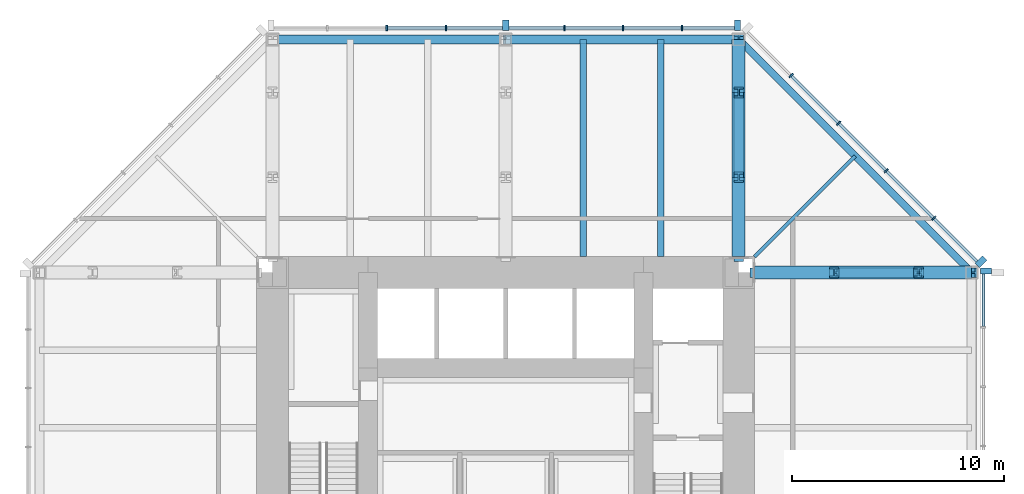
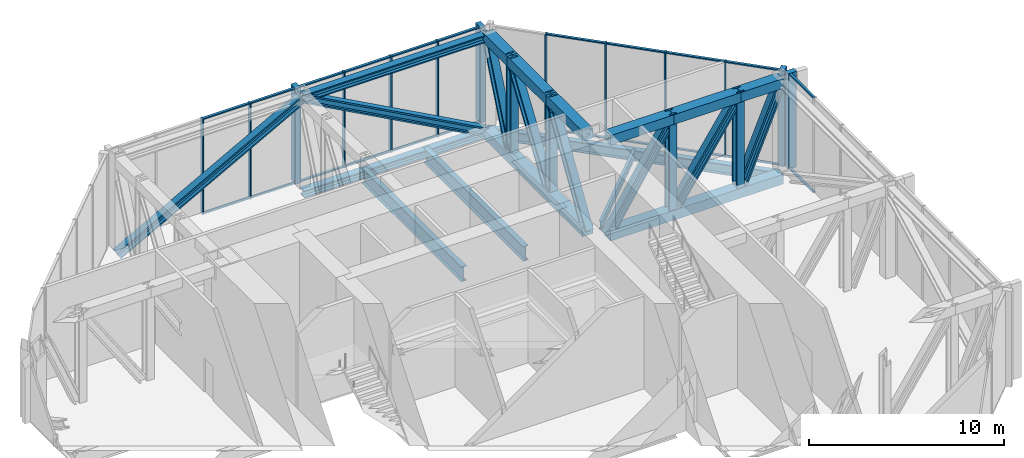
# One storey, part 7 of 11: 47 members, 14 beams, 3 elements without a shape of their own.
"""IFC4 building model written with IfcOpenShell, lengths in metres."""

from ifc_helpers import new_model, si_unit, direction, frame, origin, origin_2d, place, context, subcontext, project, spatial, rectangle, hollow_rectangle, i_section, extrude, material, material_profile, profile_set, type_object, element, aggregate, save


model = new_model("IFC4")

# Units and contexts
model_context = context("Model", 3, precision=1e-05, world=origin(), true_north=direction((0.0, 1.0)))
body_context = subcontext(model_context, "Body", "Model", "MODEL_VIEW")
ifc_project = project(units=[si_unit("LENGTHUNIT", "METRE"), si_unit("AREAUNIT", "SQUARE_METRE"), si_unit("VOLUMEUNIT", "CUBIC_METRE"), si_unit("PLANEANGLEUNIT", "RADIAN"), si_unit("MASSUNIT", "GRAM", prefix="KILO")], contexts=[model_context])

# Site, building, storey
site_placement = place(None, origin())
site = spatial("IfcSite", under=ifc_project, at=site_placement, CompositionType="ELEMENT")
building_placement = place(site_placement, origin())
building = spatial("IfcBuilding", under=site, at=building_placement, Name="Trevanion Tower", CompositionType="ELEMENT")
storey_placement = place(building_placement, frame((0.0, 0.0, 178.699951171875)))
storey = spatial("IfcBuildingStorey", under=building, at=storey_placement, Name="L42", CompositionType="ELEMENT", Elevation=178.699951171875)

# Beams
ifc_material_1 = material(Name="Steel ASTM A992 Grade 50", Category="steel")
ifc_material_profile_1 = material_profile(ifc_material_1, i_section(OverallWidth=0.1650390625, OverallDepth=0.52587890625, WebThickness=0.0087890625, FlangeThickness=0.011474609375, at=origin_2d()), Name="W21X44")
ifc_profile_set_1 = profile_set([ifc_material_profile_1], Name="Steel ASTM A992 Grade 50")
beam_type_1 = type_object("IfcBeamType", Name="B10 W21X44", PredefinedType="BEAM", material=ifc_profile_set_1)
beam_1_placement = place(storey_placement, frame((11.75, 11.75, -0.452880859375), z_axis=(0.707106781187, 0.707106781187, 0.0), x_axis=(-0.707106781187, 0.707106781187, 0.0)))
element("IfcBeam", 1, at=beam_1_placement, inside=storey, type_object=beam_type_1, Name="B10 L42", PredefinedType="BEAM", context=body_context, shape_type="SweptSolid", body=[
    extrude(i_section(OverallWidth=0.1650390625, OverallDepth=0.52587890625, WebThickness=0.0087890625, FlangeThickness=0.011474609375, at=origin_2d()), origin(), (0.0, 0.0, 1.0), 6.717529296875),
])
ifc_material_2 = material(Name="Steel ASTM A992 Grade 50", Category="steel")
ifc_material_profile_2 = material_profile(ifc_material_2, i_section(OverallWidth=0.307373046875, OverallDepth=0.922119140625, WebThickness=0.018310546875, FlangeThickness=0.030029296875, at=origin_2d()), Name="W36X182")
ifc_profile_set_2 = profile_set([ifc_material_profile_2], Name="Steel ASTM A992 Grade 50")
beam_type_2 = type_object("IfcBeamType", Name="B9 W36X182", PredefinedType="BEAM", material=ifc_profile_set_2)
for number, where, z_axis, x_axis, name in (
    (2, (7.333251953125, 11.75, -0.65087890625), (0.0, 1.0, 0.0), (-1.0, 0.0, 0.0), "B9 L42"),
    (3, (3.666748046875, 11.75, -0.65087890625), (0.0, 1.0, 0.0), (-1.0, 0.0, 0.0), "B9 L42"),
):
    element("IfcBeam", number, at=place(storey_placement, frame(where, z_axis=z_axis, x_axis=x_axis)), inside=storey, type_object=beam_type_2, Name=name, PredefinedType="BEAM", context=body_context, shape_type="SweptSolid", body=[
        extrude(i_section(OverallWidth=0.307373046875, OverallDepth=0.922119140625, WebThickness=0.018310546875, FlangeThickness=0.030029296875, at=origin_2d()), origin(), (0.0, 0.0, 1.0), 10.25),
    ])
ifc_material_3 = material(Name="Steel ASTM A992 Grade 50", Category="steel")
ifc_material_profile_3 = material_profile(ifc_material_3, i_section(OverallWidth=0.421630859375, OverallDepth=0.46484375, WebThickness=0.044921875, FlangeThickness=0.072509765625, at=origin_2d()), Name="W14X398")
ifc_profile_set_3 = profile_set([ifc_material_profile_3], Name="Steel ASTM A992 Grade 50")
beam_type_3 = type_object("IfcBeamType", Name="BT2-CH W14X398", PredefinedType="BEAM", material=ifc_profile_set_3)
for number, where, z_axis, x_axis, name in (
    (4, (11.0, 22.0, -0.494873046875), (-1.0, 0.0, 0.0), (0.0, -1.0, 0.0), "BT2 belt truss chord"),
    (5, (11.0, 22.0, 5.505126953125), (-1.0, 0.0, 0.0), (0.0, -1.0, 0.0), "BT2 belt truss chord"),
):
    element("IfcBeam", number, at=place(storey_placement, frame(where, z_axis=z_axis, x_axis=x_axis)), inside=storey, type_object=beam_type_3, Name=name, PredefinedType="BEAM", context=body_context, shape_type="SweptSolid", body=[
        extrude(i_section(OverallWidth=0.421630859375, OverallDepth=0.46484375, WebThickness=0.044921875, FlangeThickness=0.072509765625, at=origin_2d()), origin(), (0.0, 0.0, 1.0), 11.0),
    ])

# Members
ifc_material_4 = material(Name="Steel ASTM A992 Grade 50", Category="steel")
ifc_material_profile_4 = material_profile(ifc_material_4, i_section(OverallWidth=0.431884765625, OverallDepth=0.497802734375, WebThickness=0.0556640625, FlangeThickness=0.0888671875, at=origin_2d()), Name="W14X500")
ifc_profile_set_4 = profile_set([ifc_material_profile_4], Name="Steel ASTM A992 Grade 50")
member_type_1 = type_object("IfcMemberType", Name="BT2-D W14X500", PredefinedType="BRACE", material=ifc_profile_set_4)
for number, where, z_axis, x_axis, name in (
    (6, (11.0, 22.0, -0.494873046875), (-0.877895572914, 0.0, 0.478852130681), (0.0, -1.0, 0.0), "BT2 belt truss diagonal"),
    (7, (-11.0, 22.0, -0.494873046875), (0.877895572914, 0.0, 0.478852130681), (0.0, 1.0, 0.0), "BT2 belt truss diagonal"),
):
    element("IfcMember", number, at=place(storey_placement, frame(where, z_axis=z_axis, x_axis=x_axis)), inside=storey, type_object=member_type_1, Name=name, PredefinedType="BRACE", context=body_context, shape_type="SweptSolid", body=[
        extrude(i_section(OverallWidth=0.431884765625, OverallDepth=0.497802734375, WebThickness=0.0556640625, FlangeThickness=0.0888671875, at=origin_2d()), origin(), (0.0, 0.0, 1.0), 12.530029296875),
    ])

# Curtain wall, members
ifc_material_5 = material(Name="Aluminium louvres", Category="aluminium")
curtain_wall_type = type_object("IfcCurtainWallType", Name="CWL curtain wall", PredefinedType="USERDEFINED", material=ifc_material_5)
curtain_wall_1_placement = place(storey_placement, origin())
curtain_wall_1 = element("IfcCurtainWall", 8, at=curtain_wall_1_placement, inside=storey, type_object=curtain_wall_type, Name="CWL L42 1", ObjectType="LOUVRE SCREEN", PredefinedType="USERDEFINED")
ifc_material_6 = material(Name="Aluminium extrusion, anodised bronze", Category="aluminium")
ifc_material_profile_5 = material_profile(ifc_material_6, rectangle(XDim=0.074951171875, YDim=0.25, at=origin_2d()), Name="CWL mullion")
ifc_profile_set_5 = profile_set([ifc_material_profile_5], Name="Aluminium extrusion, anodised bronze")
member_type_2 = type_object("IfcMemberType", Name="CWL mullion", PredefinedType="MULLION", material=ifc_profile_set_5)
member_1_placement = place(storey_placement, frame((20.2119140625, 13.56591796875, -0.18994140625), z_axis=(0.0, 0.0, 1.0), x_axis=(-0.707106781187, 0.707106781187, 0.0)))
member_1 = element("IfcMember", 9, at=member_1_placement, type_object=member_type_2, Name="CWL mullion 2", PredefinedType="MULLION", context=body_context, shape_type="SweptSolid", body=[
    extrude(rectangle(XDim=0.074951171875, YDim=0.25, at=origin_2d()), origin(), (0.0, 0.0, 1.0), 6.0),
])
member_2_placement = place(storey_placement, frame((17.966064453125, 15.811767578125, -0.18994140625), z_axis=(0.0, 0.0, 1.0), x_axis=(-0.707106781187, 0.707106781187, 0.0)))
member_2 = element("IfcMember", 10, at=member_2_placement, type_object=member_type_2, Name="CWL mullion 3", PredefinedType="MULLION", context=body_context, shape_type="SweptSolid", body=[
    extrude(rectangle(XDim=0.074951171875, YDim=0.25, at=origin_2d()), origin(), (0.0, 0.0, 1.0), 6.0),
])
member_3_placement = place(storey_placement, frame((15.719970703125, 18.057861328125, -0.18994140625), z_axis=(0.0, 0.0, 1.0), x_axis=(-0.707106781187, 0.707106781187, 0.0)))
member_3 = element("IfcMember", 11, at=member_3_placement, type_object=member_type_2, Name="CWL mullion 4", PredefinedType="MULLION", context=body_context, shape_type="SweptSolid", body=[
    extrude(rectangle(XDim=0.074951171875, YDim=0.25, at=origin_2d()), origin(), (0.0, 0.0, 1.0), 6.0),
])
member_4_placement = place(storey_placement, frame((13.473876953125, 20.303955078125, -0.18994140625), z_axis=(0.0, 0.0, 1.0), x_axis=(-0.707106781187, 0.707106781187, 0.0)))
member_4 = element("IfcMember", 12, at=member_4_placement, type_object=member_type_2, Name="CWL mullion 5", PredefinedType="MULLION", context=body_context, shape_type="SweptSolid", body=[
    extrude(rectangle(XDim=0.074951171875, YDim=0.25, at=origin_2d()), origin(), (0.0, 0.0, 1.0), 6.0),
])

curtain_wall_2_placement = place(storey_placement, origin())
curtain_wall_2 = element("IfcCurtainWall", 13, at=curtain_wall_2_placement, inside=storey, type_object=curtain_wall_type, Name="CWL L42 2", ObjectType="LOUVRE SCREEN", PredefinedType="USERDEFINED")
member_5_placement = place(storey_placement, frame((8.323486328125, 22.550048828125, -0.18994140625), z_axis=(0.0, 0.0, 1.0), x_axis=(-1.0, 0.0, 0.0)))
member_5 = element("IfcMember", 14, at=member_5_placement, type_object=member_type_2, Name="CWL mullion 2", PredefinedType="MULLION", context=body_context, shape_type="SweptSolid", body=[
    extrude(rectangle(XDim=0.074951171875, YDim=0.25, at=origin_2d()), origin(), (0.0, 0.0, 1.0), 6.0),
])
member_6_placement = place(storey_placement, frame((5.548828125, 22.550048828125, -0.18994140625), z_axis=(0.0, 0.0, 1.0), x_axis=(-1.0, 0.0, 0.0)))
member_6 = element("IfcMember", 15, at=member_6_placement, type_object=member_type_2, Name="CWL mullion 3", PredefinedType="MULLION", context=body_context, shape_type="SweptSolid", body=[
    extrude(rectangle(XDim=0.074951171875, YDim=0.25, at=origin_2d()), origin(), (0.0, 0.0, 1.0), 6.0),
])
member_7_placement = place(storey_placement, frame((2.7744140625, 22.550048828125, -0.18994140625), z_axis=(0.0, 0.0, 1.0), x_axis=(-1.0, 0.0, 0.0)))
member_7 = element("IfcMember", 16, at=member_7_placement, type_object=member_type_2, Name="CWL mullion 4", PredefinedType="MULLION", context=body_context, shape_type="SweptSolid", body=[
    extrude(rectangle(XDim=0.074951171875, YDim=0.25, at=origin_2d()), origin(), (0.0, 0.0, 1.0), 6.0),
])
member_8_placement = place(storey_placement, frame((-2.806884765625, 22.550048828125, -0.18994140625), z_axis=(0.0, 0.0, 1.0), x_axis=(-1.0, 0.0, 0.0)))
member_8 = element("IfcMember", 17, at=member_8_placement, type_object=member_type_2, Name="CWL mullion 6", PredefinedType="MULLION", context=body_context, shape_type="SweptSolid", body=[
    extrude(rectangle(XDim=0.074951171875, YDim=0.25, at=origin_2d()), origin(), (0.0, 0.0, 1.0), 6.0),
])
member_9_placement = place(storey_placement, frame((-5.614013671875, 22.550048828125, -0.18994140625), z_axis=(0.0, 0.0, 1.0), x_axis=(-1.0, 0.0, 0.0)))
member_9 = element("IfcMember", 18, at=member_9_placement, type_object=member_type_2, Name="CWL mullion 7", PredefinedType="MULLION", context=body_context, shape_type="SweptSolid", body=[
    extrude(rectangle(XDim=0.074951171875, YDim=0.25, at=origin_2d()), origin(), (0.0, 0.0, 1.0), 6.0),
])

# Curtain wall, member
curtain_wall_3_placement = place(storey_placement, origin())
curtain_wall_3 = element("IfcCurtainWall", 19, at=curtain_wall_3_placement, inside=storey, type_object=curtain_wall_type, Name="CWL L42 0", ObjectType="LOUVRE SCREEN", PredefinedType="USERDEFINED")
ifc_material_7 = material(Name="Aluminium extrusion, anodised bronze", Category="aluminium")
ifc_material_profile_6 = material_profile(ifc_material_7, rectangle(XDim=0.300048828125, YDim=0.5, at=origin_2d()), Name="CWL pier mullion")
ifc_profile_set_6 = profile_set([ifc_material_profile_6], Name="Aluminium extrusion, anodised bronze")
member_type_3 = type_object("IfcMemberType", Name="CWL pier mullion", PredefinedType="MULLION", material=ifc_profile_set_6)
member_10_placement = place(storey_placement, frame((22.675048828125, 11.077880859375, -0.18994140625), z_axis=(0.0, 0.0, 1.0), x_axis=(0.0, 1.0, 0.0)))
member_10 = element("IfcMember", 20, at=member_10_placement, type_object=member_type_3, Name="CWL pier mullion 9", PredefinedType="MULLION", context=body_context, shape_type="SweptSolid", body=[
    extrude(rectangle(XDim=0.300048828125, YDim=0.5, at=origin_2d()), origin(), (0.0, 0.0, 1.0), 6.0),
])

# Member
member_11_placement = place(storey_placement, frame((22.4404296875, 11.51416015625, -0.18994140625), z_axis=(0.0, 0.0, 1.0), x_axis=(-0.707106781187, 0.707106781187, 0.0)))
member_11 = element("IfcMember", 21, at=member_11_placement, type_object=member_type_3, Name="CWL pier mullion 1", PredefinedType="MULLION", context=body_context, shape_type="SweptSolid", body=[
    extrude(rectangle(XDim=0.300048828125, YDim=0.5, at=origin_2d()), origin(), (0.0, 0.0, 1.0), 6.0),
])

member_12_placement = place(storey_placement, frame((10.94775390625, 22.675048828125, -0.18994140625), z_axis=(0.0, 0.0, 1.0), x_axis=(-1.0, 0.0, 0.0)))
member_12 = element("IfcMember", 22, at=member_12_placement, type_object=member_type_3, Name="CWL pier mullion 1", PredefinedType="MULLION", context=body_context, shape_type="SweptSolid", body=[
    extrude(rectangle(XDim=0.300048828125, YDim=0.5, at=origin_2d()), origin(), (0.0, 0.0, 1.0), 6.0),
])

member_13_placement = place(storey_placement, frame((0.0, 22.675048828125, -0.18994140625), z_axis=(0.0, 0.0, 1.0), x_axis=(-1.0, 0.0, 0.0)))
member_13 = element("IfcMember", 23, at=member_13_placement, type_object=member_type_3, Name="CWL pier mullion 5", PredefinedType="MULLION", context=body_context, shape_type="SweptSolid", body=[
    extrude(rectangle(XDim=0.300048828125, YDim=0.5, at=origin_2d()), origin(), (0.0, 0.0, 1.0), 6.0),
])

ifc_material_8 = material(Name="Aluminium extrusion, anodised bronze", Category="aluminium")
ifc_material_profile_7 = material_profile(ifc_material_8, rectangle(XDim=0.14990234375, YDim=0.074951171875, at=origin_2d()), Name="CWL transom")
ifc_profile_set_7 = profile_set([ifc_material_profile_7], Name="Aluminium extrusion, anodised bronze")
member_type_4 = type_object("IfcMemberType", Name="CWL transom", PredefinedType="USERDEFINED", material=ifc_profile_set_7)
member_14_placement = place(storey_placement, frame((22.550048828125, 8.45849609375, -0.15234375), z_axis=(0.0, 1.0, 0.0), x_axis=(-1.0, 0.0, 0.0)))
member_14 = element("IfcMember", 24, at=member_14_placement, type_object=member_type_4, Name="CWL transom 8.1", ObjectType="TRANSOM", PredefinedType="USERDEFINED", context=body_context, shape_type="SweptSolid", body=[
    extrude(rectangle(XDim=0.14990234375, YDim=0.074951171875, at=origin_2d()), origin(), (0.0, 0.0, 1.0), 2.46923828125),
])

member_15_placement = place(storey_placement, frame((22.550048828125, 8.45849609375, 5.7724609375), z_axis=(0.0, 1.0, 0.0), x_axis=(-1.0, 0.0, 0.0)))
member_15 = element("IfcMember", 25, at=member_15_placement, type_object=member_type_4, Name="CWL transom 8.2", ObjectType="TRANSOM", PredefinedType="USERDEFINED", context=body_context, shape_type="SweptSolid", body=[
    extrude(rectangle(XDim=0.14990234375, YDim=0.074951171875, at=origin_2d()), origin(), (0.0, 0.0, 1.0), 2.46923828125),
])

aggregate(curtain_wall_3, [member_10, member_14, member_15])

member_16_placement = place(storey_placement, frame((22.245849609375, 11.531982421875, -0.15234375), z_axis=(-0.707106781187, 0.707106781187, 0.0), x_axis=(-0.707106781187, -0.707106781187, 0.0)))
member_16 = element("IfcMember", 26, at=member_16_placement, type_object=member_type_4, Name="CWL transom 1.1", ObjectType="TRANSOM", PredefinedType="USERDEFINED", context=body_context, shape_type="SweptSolid", body=[
    extrude(rectangle(XDim=0.14990234375, YDim=0.074951171875, at=origin_2d()), origin(), (0.0, 0.0, 1.0), 2.8388671875),
])

member_17_placement = place(storey_placement, frame((22.245849609375, 11.531982421875, 5.7724609375), z_axis=(-0.707106781187, 0.707106781187, 0.0), x_axis=(-0.707106781187, -0.707106781187, 0.0)))
member_17 = element("IfcMember", 27, at=member_17_placement, type_object=member_type_4, Name="CWL transom 1.2", ObjectType="TRANSOM", PredefinedType="USERDEFINED", context=body_context, shape_type="SweptSolid", body=[
    extrude(rectangle(XDim=0.14990234375, YDim=0.074951171875, at=origin_2d()), origin(), (0.0, 0.0, 1.0), 2.8388671875),
])

member_18_placement = place(storey_placement, frame((20.185546875, 13.59228515625, -0.15234375), z_axis=(-0.707106781187, 0.707106781187, 0.0), x_axis=(-0.707106781187, -0.707106781187, 0.0)))
member_18 = element("IfcMember", 28, at=member_18_placement, type_object=member_type_4, Name="CWL transom 2.1", ObjectType="TRANSOM", PredefinedType="USERDEFINED", context=body_context, shape_type="SweptSolid", body=[
    extrude(rectangle(XDim=0.14990234375, YDim=0.074951171875, at=origin_2d()), origin(), (0.0, 0.0, 1.0), 3.1015625),
])

member_19_placement = place(storey_placement, frame((20.185546875, 13.59228515625, 5.7724609375), z_axis=(-0.707106781187, 0.707106781187, 0.0), x_axis=(-0.707106781187, -0.707106781187, 0.0)))
member_19 = element("IfcMember", 29, at=member_19_placement, type_object=member_type_4, Name="CWL transom 2.2", ObjectType="TRANSOM", PredefinedType="USERDEFINED", context=body_context, shape_type="SweptSolid", body=[
    extrude(rectangle(XDim=0.14990234375, YDim=0.074951171875, at=origin_2d()), origin(), (0.0, 0.0, 1.0), 3.1015625),
])

member_20_placement = place(storey_placement, frame((17.939453125, 15.83837890625, -0.15234375), z_axis=(-0.707106781187, 0.707106781187, 0.0), x_axis=(-0.707106781187, -0.707106781187, 0.0)))
member_20 = element("IfcMember", 30, at=member_20_placement, type_object=member_type_4, Name="CWL transom 3.1", ObjectType="TRANSOM", PredefinedType="USERDEFINED", context=body_context, shape_type="SweptSolid", body=[
    extrude(rectangle(XDim=0.14990234375, YDim=0.074951171875, at=origin_2d()), origin(), (0.0, 0.0, 1.0), 3.1015625),
])

member_21_placement = place(storey_placement, frame((17.939453125, 15.83837890625, 5.7724609375), z_axis=(-0.707106781187, 0.707106781187, 0.0), x_axis=(-0.707106781187, -0.707106781187, 0.0)))
member_21 = element("IfcMember", 31, at=member_21_placement, type_object=member_type_4, Name="CWL transom 3.2", ObjectType="TRANSOM", PredefinedType="USERDEFINED", context=body_context, shape_type="SweptSolid", body=[
    extrude(rectangle(XDim=0.14990234375, YDim=0.074951171875, at=origin_2d()), origin(), (0.0, 0.0, 1.0), 3.1015625),
])

member_22_placement = place(storey_placement, frame((15.693359375, 18.08447265625, -0.15234375), z_axis=(-0.707106781187, 0.707106781187, 0.0), x_axis=(-0.707106781187, -0.707106781187, 0.0)))
member_22 = element("IfcMember", 32, at=member_22_placement, type_object=member_type_4, Name="CWL transom 4.1", ObjectType="TRANSOM", PredefinedType="USERDEFINED", context=body_context, shape_type="SweptSolid", body=[
    extrude(rectangle(XDim=0.14990234375, YDim=0.074951171875, at=origin_2d()), origin(), (0.0, 0.0, 1.0), 3.10107421875),
])

member_23_placement = place(storey_placement, frame((15.693359375, 18.08447265625, 5.7724609375), z_axis=(-0.707106781187, 0.707106781187, 0.0), x_axis=(-0.707106781187, -0.707106781187, 0.0)))
member_23 = element("IfcMember", 33, at=member_23_placement, type_object=member_type_4, Name="CWL transom 4.2", ObjectType="TRANSOM", PredefinedType="USERDEFINED", context=body_context, shape_type="SweptSolid", body=[
    extrude(rectangle(XDim=0.14990234375, YDim=0.074951171875, at=origin_2d()), origin(), (0.0, 0.0, 1.0), 3.10107421875),
])

aggregate(curtain_wall_1, [member_11, member_1, member_2, member_3, member_4, member_16, member_17, member_18, member_19, member_20, member_21, member_22, member_23])

member_24_placement = place(storey_placement, frame((10.7978515625, 22.550048828125, -0.15234375), z_axis=(-1.0, 0.0, 0.0), x_axis=(0.0, -1.0, 0.0)))
member_24 = element("IfcMember", 34, at=member_24_placement, type_object=member_type_4, Name="CWL transom 1.1", ObjectType="TRANSOM", PredefinedType="USERDEFINED", context=body_context, shape_type="SweptSolid", body=[
    extrude(rectangle(XDim=0.14990234375, YDim=0.074951171875, at=origin_2d()), origin(), (0.0, 0.0, 1.0), 2.43701171875),
])

member_25_placement = place(storey_placement, frame((10.7978515625, 22.550048828125, 5.7724609375), z_axis=(-1.0, 0.0, 0.0), x_axis=(0.0, -1.0, 0.0)))
member_25 = element("IfcMember", 35, at=member_25_placement, type_object=member_type_4, Name="CWL transom 1.2", ObjectType="TRANSOM", PredefinedType="USERDEFINED", context=body_context, shape_type="SweptSolid", body=[
    extrude(rectangle(XDim=0.14990234375, YDim=0.074951171875, at=origin_2d()), origin(), (0.0, 0.0, 1.0), 2.43701171875),
])

member_26_placement = place(storey_placement, frame((8.285888671875, 22.550048828125, -0.15234375), z_axis=(-1.0, 0.0, 0.0), x_axis=(0.0, -1.0, 0.0)))
member_26 = element("IfcMember", 36, at=member_26_placement, type_object=member_type_4, Name="CWL transom 2.1", ObjectType="TRANSOM", PredefinedType="USERDEFINED", context=body_context, shape_type="SweptSolid", body=[
    extrude(rectangle(XDim=0.14990234375, YDim=0.074951171875, at=origin_2d()), origin(), (0.0, 0.0, 1.0), 2.699462890625),
])

member_27_placement = place(storey_placement, frame((8.285888671875, 22.550048828125, 5.7724609375), z_axis=(-1.0, 0.0, 0.0), x_axis=(0.0, -1.0, 0.0)))
member_27 = element("IfcMember", 37, at=member_27_placement, type_object=member_type_4, Name="CWL transom 2.2", ObjectType="TRANSOM", PredefinedType="USERDEFINED", context=body_context, shape_type="SweptSolid", body=[
    extrude(rectangle(XDim=0.14990234375, YDim=0.074951171875, at=origin_2d()), origin(), (0.0, 0.0, 1.0), 2.699462890625),
])

member_28_placement = place(storey_placement, frame((5.511474609375, 22.550048828125, -0.15234375), z_axis=(-1.0, 0.0, 0.0), x_axis=(0.0, -1.0, 0.0)))
member_28 = element("IfcMember", 38, at=member_28_placement, type_object=member_type_4, Name="CWL transom 3.1", ObjectType="TRANSOM", PredefinedType="USERDEFINED", context=body_context, shape_type="SweptSolid", body=[
    extrude(rectangle(XDim=0.14990234375, YDim=0.074951171875, at=origin_2d()), origin(), (0.0, 0.0, 1.0), 2.699462890625),
])

member_29_placement = place(storey_placement, frame((5.511474609375, 22.550048828125, 5.7724609375), z_axis=(-1.0, 0.0, 0.0), x_axis=(0.0, -1.0, 0.0)))
member_29 = element("IfcMember", 39, at=member_29_placement, type_object=member_type_4, Name="CWL transom 3.2", ObjectType="TRANSOM", PredefinedType="USERDEFINED", context=body_context, shape_type="SweptSolid", body=[
    extrude(rectangle(XDim=0.14990234375, YDim=0.074951171875, at=origin_2d()), origin(), (0.0, 0.0, 1.0), 2.699462890625),
])

member_30_placement = place(storey_placement, frame((2.737060546875, 22.550048828125, -0.15234375), z_axis=(-1.0, 0.0, 0.0), x_axis=(0.0, -1.0, 0.0)))
member_30 = element("IfcMember", 40, at=member_30_placement, type_object=member_type_4, Name="CWL transom 4.1", ObjectType="TRANSOM", PredefinedType="USERDEFINED", context=body_context, shape_type="SweptSolid", body=[
    extrude(rectangle(XDim=0.14990234375, YDim=0.074951171875, at=origin_2d()), origin(), (0.0, 0.0, 1.0), 2.587158203125),
])

member_31_placement = place(storey_placement, frame((2.737060546875, 22.550048828125, 5.7724609375), z_axis=(-1.0, 0.0, 0.0), x_axis=(0.0, -1.0, 0.0)))
member_31 = element("IfcMember", 41, at=member_31_placement, type_object=member_type_4, Name="CWL transom 4.2", ObjectType="TRANSOM", PredefinedType="USERDEFINED", context=body_context, shape_type="SweptSolid", body=[
    extrude(rectangle(XDim=0.14990234375, YDim=0.074951171875, at=origin_2d()), origin(), (0.0, 0.0, 1.0), 2.587158203125),
])

member_32_placement = place(storey_placement, frame((-0.14990234375, 22.550048828125, -0.15234375), z_axis=(-1.0, 0.0, 0.0), x_axis=(0.0, -1.0, 0.0)))
member_32 = element("IfcMember", 42, at=member_32_placement, type_object=member_type_4, Name="CWL transom 5.1", ObjectType="TRANSOM", PredefinedType="USERDEFINED", context=body_context, shape_type="SweptSolid", body=[
    extrude(rectangle(XDim=0.14990234375, YDim=0.074951171875, at=origin_2d()), origin(), (0.0, 0.0, 1.0), 2.619384765625),
])

member_33_placement = place(storey_placement, frame((-0.14990234375, 22.550048828125, 5.7724609375), z_axis=(-1.0, 0.0, 0.0), x_axis=(0.0, -1.0, 0.0)))
member_33 = element("IfcMember", 43, at=member_33_placement, type_object=member_type_4, Name="CWL transom 5.2", ObjectType="TRANSOM", PredefinedType="USERDEFINED", context=body_context, shape_type="SweptSolid", body=[
    extrude(rectangle(XDim=0.14990234375, YDim=0.074951171875, at=origin_2d()), origin(), (0.0, 0.0, 1.0), 2.619384765625),
])

member_34_placement = place(storey_placement, frame((-2.844482421875, 22.550048828125, -0.15234375), z_axis=(-1.0, 0.0, 0.0), x_axis=(0.0, -1.0, 0.0)))
member_34 = element("IfcMember", 44, at=member_34_placement, type_object=member_type_4, Name="CWL transom 6.1", ObjectType="TRANSOM", PredefinedType="USERDEFINED", context=body_context, shape_type="SweptSolid", body=[
    extrude(rectangle(XDim=0.14990234375, YDim=0.074951171875, at=origin_2d()), origin(), (0.0, 0.0, 1.0), 2.73193359375),
])

member_35_placement = place(storey_placement, frame((-2.844482421875, 22.550048828125, 5.7724609375), z_axis=(-1.0, 0.0, 0.0), x_axis=(0.0, -1.0, 0.0)))
member_35 = element("IfcMember", 45, at=member_35_placement, type_object=member_type_4, Name="CWL transom 6.2", ObjectType="TRANSOM", PredefinedType="USERDEFINED", context=body_context, shape_type="SweptSolid", body=[
    extrude(rectangle(XDim=0.14990234375, YDim=0.074951171875, at=origin_2d()), origin(), (0.0, 0.0, 1.0), 2.73193359375),
])

aggregate(curtain_wall_2, [member_12, member_5, member_6, member_7, member_13, member_8, member_9, member_24, member_25, member_26, member_27, member_28, member_29, member_30, member_31, member_32, member_33, member_34, member_35])

# Beams
ifc_material_9 = material(Name="Steel ASTM A588 Grade 50", Category="steel")
ifc_material_profile_8 = material_profile(ifc_material_9, hollow_rectangle(XDim=0.609619140625, YDim=0.609619140625, WallThickness=0.203125, at=origin_2d()), Name="BOX24X24X8")
ifc_profile_set_8 = profile_set([ifc_material_profile_8], Name="Steel ASTM A588 Grade 50")
beam_type_4 = type_object("IfcBeamType", Name="OT2-CH BOX24X24X8", PredefinedType="BEAM", material=ifc_profile_set_8)
beam_2_placement = place(storey_placement, frame((11.0, 11.75, -0.494873046875), z_axis=(0.0, 1.0, 0.0), x_axis=(-1.0, 0.0, 0.0)))
element("IfcBeam", 46, at=beam_2_placement, inside=storey, type_object=beam_type_4, Name="OT2 12/P outrigger and transfer truss chord", PredefinedType="BEAM", context=body_context, shape_type="SweptSolid", body=[
    extrude(hollow_rectangle(XDim=0.609619140625, YDim=0.609619140625, WallThickness=0.203125, at=origin_2d()), origin(), (0.0, 0.0, 1.0), 10.25),
])
beam_3_placement = place(storey_placement, frame((11.0, 11.75, 5.505126953125), z_axis=(0.0, 1.0, 0.0), x_axis=(-1.0, 0.0, 0.0)))
element("IfcBeam", 47, at=beam_3_placement, inside=storey, type_object=beam_type_4, Name="OT2 12/P outrigger and transfer truss chord", PredefinedType="BEAM", context=body_context, shape_type="SweptSolid", body=[
    extrude(hollow_rectangle(XDim=0.609619140625, YDim=0.609619140625, WallThickness=0.203125, at=origin_2d()), origin(), (0.0, 0.0, 1.0), 3.75),
])
beam_4_placement = place(storey_placement, frame((11.0, 15.5, 5.505126953125), z_axis=(0.0, 1.0, 0.0), x_axis=(-1.0, 0.0, 0.0)))
element("IfcBeam", 48, at=beam_4_placement, inside=storey, type_object=beam_type_4, Name="OT2 12/P outrigger and transfer truss chord", PredefinedType="BEAM", context=body_context, shape_type="SweptSolid", body=[
    extrude(hollow_rectangle(XDim=0.609619140625, YDim=0.609619140625, WallThickness=0.203125, at=origin_2d()), origin(), (0.0, 0.0, 1.0), 4.0),
])
beam_5_placement = place(storey_placement, frame((11.0, 19.5, 5.505126953125), z_axis=(0.0, 1.0, 0.0), x_axis=(-1.0, 0.0, 0.0)))
element("IfcBeam", 49, at=beam_5_placement, inside=storey, type_object=beam_type_4, Name="OT2 12/P outrigger and transfer truss chord", PredefinedType="BEAM", context=body_context, shape_type="SweptSolid", body=[
    extrude(hollow_rectangle(XDim=0.609619140625, YDim=0.609619140625, WallThickness=0.203125, at=origin_2d()), origin(), (0.0, 0.0, 1.0), 2.5),
])
beam_6_placement = place(storey_placement, frame((11.75, 11.0, -0.494873046875), z_axis=(1.0, 0.0, 0.0), x_axis=(0.0, 1.0, 0.0)))
element("IfcBeam", 50, at=beam_6_placement, inside=storey, type_object=beam_type_4, Name="OT2 16/K outrigger and transfer truss chord", PredefinedType="BEAM", context=body_context, shape_type="SweptSolid", body=[
    extrude(hollow_rectangle(XDim=0.609619140625, YDim=0.609619140625, WallThickness=0.203125, at=origin_2d()), origin(), (0.0, 0.0, 1.0), 10.25),
])
beam_7_placement = place(storey_placement, frame((11.75, 11.0, 5.505126953125), z_axis=(1.0, 0.0, 0.0), x_axis=(0.0, 1.0, 0.0)))
element("IfcBeam", 51, at=beam_7_placement, inside=storey, type_object=beam_type_4, Name="OT2 16/K outrigger and transfer truss chord", PredefinedType="BEAM", context=body_context, shape_type="SweptSolid", body=[
    extrude(hollow_rectangle(XDim=0.609619140625, YDim=0.609619140625, WallThickness=0.203125, at=origin_2d()), origin(), (0.0, 0.0, 1.0), 3.75),
])
beam_8_placement = place(storey_placement, frame((15.5, 11.0, 5.505126953125), z_axis=(1.0, 0.0, 0.0), x_axis=(0.0, 1.0, 0.0)))
element("IfcBeam", 52, at=beam_8_placement, inside=storey, type_object=beam_type_4, Name="OT2 16/K outrigger and transfer truss chord", PredefinedType="BEAM", context=body_context, shape_type="SweptSolid", body=[
    extrude(hollow_rectangle(XDim=0.609619140625, YDim=0.609619140625, WallThickness=0.203125, at=origin_2d()), origin(), (0.0, 0.0, 1.0), 4.0),
])
beam_9_placement = place(storey_placement, frame((19.5, 11.0, 5.505126953125), z_axis=(1.0, 0.0, 0.0), x_axis=(0.0, 1.0, 0.0)))
element("IfcBeam", 53, at=beam_9_placement, inside=storey, type_object=beam_type_4, Name="OT2 16/K outrigger and transfer truss chord", PredefinedType="BEAM", context=body_context, shape_type="SweptSolid", body=[
    extrude(hollow_rectangle(XDim=0.609619140625, YDim=0.609619140625, WallThickness=0.203125, at=origin_2d()), origin(), (0.0, 0.0, 1.0), 2.5),
])

# Members
ifc_material_10 = material(Name="Steel ASTM A992 Grade 50", Category="steel")
ifc_material_profile_9 = material_profile(ifc_material_10, i_section(OverallWidth=0.44189453125, OverallDepth=0.53076171875, WebThickness=0.06591796875, FlangeThickness=0.105712890625, at=origin_2d()), Name="W14X605")
ifc_profile_set_9 = profile_set([ifc_material_profile_9], Name="Steel ASTM A992 Grade 50")
member_type_5 = type_object("IfcMemberType", Name="OT2-D W14X605", PredefinedType="BRACE", material=ifc_profile_set_9)
member_36_placement = place(storey_placement, frame((11.0, 11.75, -0.494873046875), z_axis=(0.0, 0.529998940003, 0.847998304005), x_axis=(-1.0, 0.0, 0.0)))
element("IfcMember", 54, at=member_36_placement, inside=storey, type_object=member_type_5, Name="OT2 12/P outrigger and transfer truss diagonal", PredefinedType="BRACE", context=body_context, shape_type="SweptSolid", body=[
    extrude(i_section(OverallWidth=0.44189453125, OverallDepth=0.53076171875, WebThickness=0.06591796875, FlangeThickness=0.105712890625, at=origin_2d()), origin(), (0.0, 0.0, 1.0), 7.075439453125),
])
member_37_placement = place(storey_placement, frame((11.0, 15.5, -0.494873046875), z_axis=(0.0, 0.554700196225, 0.832050294338), x_axis=(-1.0, 0.0, 0.0)))
element("IfcMember", 55, at=member_37_placement, inside=storey, type_object=member_type_5, Name="OT2 12/P outrigger and transfer truss diagonal", PredefinedType="BRACE", context=body_context, shape_type="SweptSolid", body=[
    extrude(i_section(OverallWidth=0.44189453125, OverallDepth=0.53076171875, WebThickness=0.06591796875, FlangeThickness=0.105712890625, at=origin_2d()), origin(), (0.0, 0.0, 1.0), 7.211181640625),
])
member_38_placement = place(storey_placement, frame((11.0, 19.5, -0.494873046875), z_axis=(0.0, 0.384615384615, 0.923076923077), x_axis=(-1.0, 0.0, 0.0)))
element("IfcMember", 56, at=member_38_placement, inside=storey, type_object=member_type_5, Name="OT2 12/P outrigger and transfer truss diagonal", PredefinedType="BRACE", context=body_context, shape_type="SweptSolid", body=[
    extrude(i_section(OverallWidth=0.44189453125, OverallDepth=0.53076171875, WebThickness=0.06591796875, FlangeThickness=0.105712890625, at=origin_2d()), origin(), (0.0, 0.0, 1.0), 6.5),
])
member_39_placement = place(storey_placement, frame((11.75, 11.0, -0.494873046875), z_axis=(0.529998940003, 0.0, 0.847998304005), x_axis=(0.0, 1.0, 0.0)))
element("IfcMember", 57, at=member_39_placement, inside=storey, type_object=member_type_5, Name="OT2 16/K outrigger and transfer truss diagonal", PredefinedType="BRACE", context=body_context, shape_type="SweptSolid", body=[
    extrude(i_section(OverallWidth=0.44189453125, OverallDepth=0.53076171875, WebThickness=0.06591796875, FlangeThickness=0.105712890625, at=origin_2d()), origin(), (0.0, 0.0, 1.0), 7.075439453125),
])
member_40_placement = place(storey_placement, frame((15.5, 11.0, -0.494873046875), z_axis=(0.554700196225, 0.0, 0.832050294338), x_axis=(0.0, 1.0, 0.0)))
element("IfcMember", 58, at=member_40_placement, inside=storey, type_object=member_type_5, Name="OT2 16/K outrigger and transfer truss diagonal", PredefinedType="BRACE", context=body_context, shape_type="SweptSolid", body=[
    extrude(i_section(OverallWidth=0.44189453125, OverallDepth=0.53076171875, WebThickness=0.06591796875, FlangeThickness=0.105712890625, at=origin_2d()), origin(), (0.0, 0.0, 1.0), 7.211181640625),
])
member_41_placement = place(storey_placement, frame((19.5, 11.0, -0.494873046875), z_axis=(0.384615384615, 0.0, 0.923076923077), x_axis=(0.0, 1.0, 0.0)))
element("IfcMember", 59, at=member_41_placement, inside=storey, type_object=member_type_5, Name="OT2 16/K outrigger and transfer truss diagonal", PredefinedType="BRACE", context=body_context, shape_type="SweptSolid", body=[
    extrude(i_section(OverallWidth=0.44189453125, OverallDepth=0.53076171875, WebThickness=0.06591796875, FlangeThickness=0.105712890625, at=origin_2d()), origin(), (0.0, 0.0, 1.0), 6.5),
])
ifc_material_11 = material(Name="Steel ASTM A992 Grade 50", Category="steel")
ifc_material_profile_10 = material_profile(ifc_material_11, i_section(OverallWidth=0.436767578125, OverallDepth=0.51318359375, WebThickness=0.060546875, FlangeThickness=0.096923828125, at=origin_2d()), Name="W14X550")
ifc_profile_set_10 = profile_set([ifc_material_profile_10], Name="Steel ASTM A992 Grade 50")
member_type_6 = type_object("IfcMemberType", Name="OT2-V W14X550", PredefinedType="POST", material=ifc_profile_set_10)
for number, where, z_axis, x_axis, name in (
    (60, (11.0, 15.5, -0.494873046875), (0.0, 0.0, 1.0), (1.0, 0.0, 0.0), "OT2 12/P outrigger and transfer truss vertical"),
    (61, (11.0, 19.5, -0.494873046875), (0.0, 0.0, 1.0), (1.0, 0.0, 0.0), "OT2 12/P outrigger and transfer truss vertical"),
    (62, (15.5, 11.0, -0.494873046875), (0.0, 0.0, 1.0), (1.0, 0.0, 0.0), "OT2 16/K outrigger and transfer truss vertical"),
    (63, (19.5, 11.0, -0.494873046875), (0.0, 0.0, 1.0), (1.0, 0.0, 0.0), "OT2 16/K outrigger and transfer truss vertical"),
):
    element("IfcMember", number, at=place(storey_placement, frame(where, z_axis=z_axis, x_axis=x_axis)), inside=storey, type_object=member_type_6, Name=name, PredefinedType="POST", context=body_context, shape_type="SweptSolid", body=[
        extrude(i_section(OverallWidth=0.436767578125, OverallDepth=0.51318359375, WebThickness=0.060546875, FlangeThickness=0.096923828125, at=origin_2d()), origin(), (0.0, 0.0, 1.0), 6.304931640625),
    ])

# Beam
ifc_material_12 = material(Name="Steel ASTM A992 Grade 50", Category="steel")
ifc_material_profile_11 = material_profile(ifc_material_12, i_section(OverallWidth=0.330078125, OverallDepth=0.647705078125, WebThickness=0.0205078125, FlangeThickness=0.037109375, at=origin_2d()), Name="W24X192")
ifc_profile_set_11 = profile_set([ifc_material_profile_11], Name="Steel ASTM A992 Grade 50")
beam_type_5 = type_object("IfcBeamType", Name="SB7 W24X192", PredefinedType="SPANDREL", material=ifc_profile_set_11)
beam_10_placement = place(storey_placement, frame((22.0, 11.0, -0.513916015625), z_axis=(-0.707106781187, 0.707106781187, 0.0), x_axis=(-0.707106781187, -0.707106781187, 0.0)))
element("IfcBeam", 64, at=beam_10_placement, inside=storey, type_object=beam_type_5, Name="SB7 L42", PredefinedType="SPANDREL", context=body_context, shape_type="SweptSolid", body=[
    extrude(i_section(OverallWidth=0.330078125, OverallDepth=0.647705078125, WebThickness=0.0205078125, FlangeThickness=0.037109375, at=origin_2d()), origin(), (0.0, 0.0, 1.0), 15.556396484375),
])

save(model, "model.ifc")
